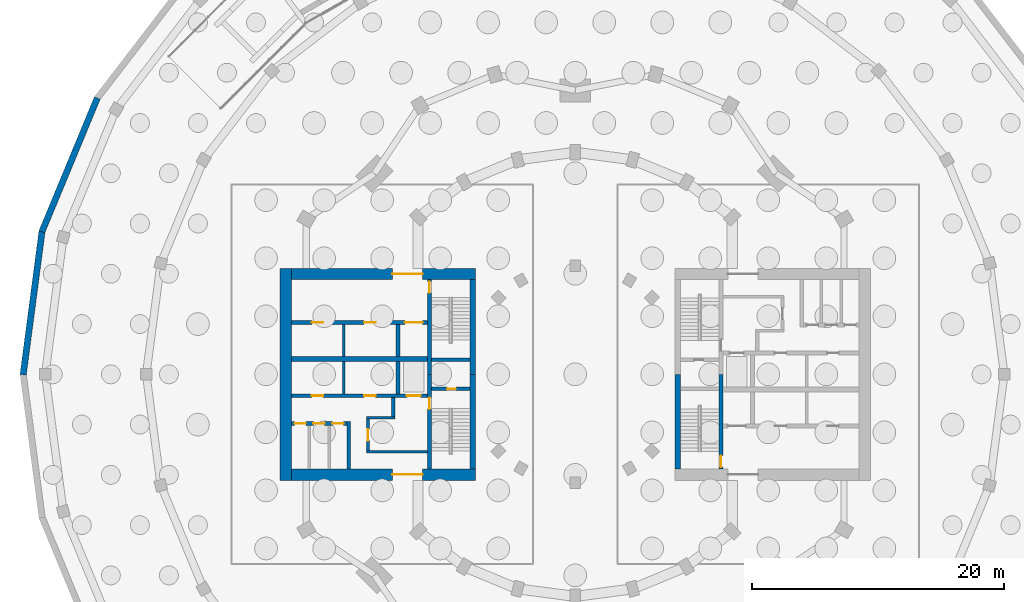
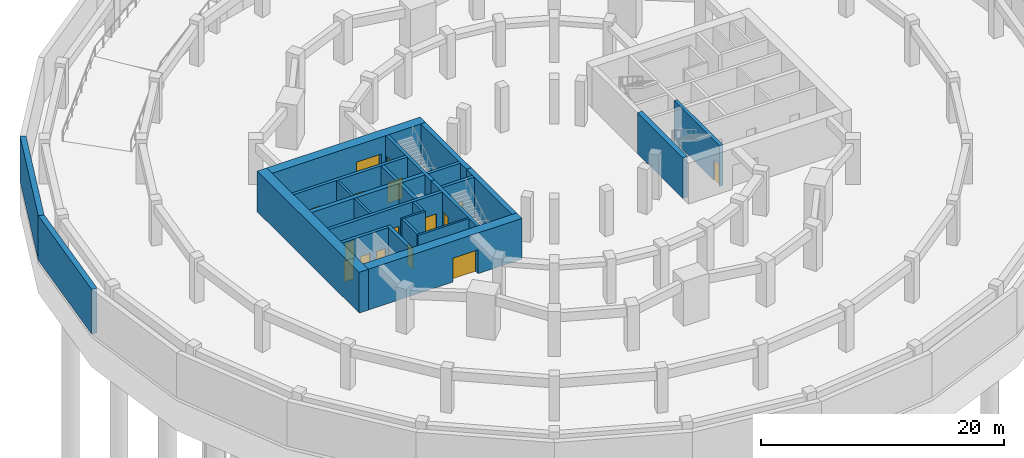
# One storey, part 4 of 9: 26 walls, 16 doors, 16 openings.
"""IFC4 building model written with IfcOpenShell, lengths in metres."""

from ifc_helpers import new_model, si_unit, direction, frame, frame_2d, origin, place, context, subcontext, project, spatial, rectangle, extrude, material, layer, layer_set, type_object, element, fill, save


model = new_model("IFC4")

# Units and contexts
model_context = context("Model", 3, precision=1e-05, world=origin(), true_north=direction((0.0, 1.0)))
body_context = subcontext(model_context, "Body", "Model", "MODEL_VIEW")
ifc_project = project(units=[si_unit("LENGTHUNIT", "METRE"), si_unit("AREAUNIT", "SQUARE_METRE"), si_unit("VOLUMEUNIT", "CUBIC_METRE"), si_unit("PLANEANGLEUNIT", "RADIAN"), si_unit("MASSUNIT", "GRAM", prefix="KILO")], contexts=[model_context])

# Site, building, storey
site_placement = place(None, origin())
site = spatial("IfcSite", under=ifc_project, at=site_placement, CompositionType="ELEMENT")
building_placement = place(site_placement, origin())
building = spatial("IfcBuilding", under=site, at=building_placement, Name="Torre Brocal", CompositionType="ELEMENT")
storey_placement = place(building_placement, frame((0.0, 0.0, -9.0)))
storey = spatial("IfcBuildingStorey", under=building, at=storey_placement, Name="B2", CompositionType="ELEMENT", Elevation=-9.0)

# Walls
ifc_material_1 = material(Name="Masonry block", Category="masonry")
ifc_layer_1 = layer(ifc_material_1, 0.199951171875)
ifc_layer_set_1 = layer_set([ifc_layer_1], Name="Masonry block")
wall_type_1 = type_object("IfcWallType", Name="CORE PARTITION 200 UNDER 400 SLAB", PredefinedType="PARTITIONING", material=ifc_layer_set_1)
for number, where, z_axis, x_axis, name in (
    (1, (61.64990234375, 76.0, 0.0), (0.0, 0.0, 1.0), (0.0, -1.0, 0.0), "Wall CP200-S400"),
    (2, (61.64990234375, 78.949951171875, 0.0), (0.0, 0.0, 1.0), (0.0, -1.0, 0.0), "Wall CP200-S400"),
):
    element("IfcWall", number, at=place(storey_placement, frame(where, z_axis=z_axis, x_axis=x_axis)), inside=storey, type_object=wall_type_1, Name=name, PredefinedType="PARTITIONING", context=body_context, shape_type="SweptSolid", body=[
        extrude(rectangle(XDim=2.550048828125, YDim=0.199951171875, at=frame_2d((1.27490234375, 0.0))), origin(), (0.0, 0.0, 1.0), 4.10009765625),
    ])
ifc_material_2 = material(Name="Concrete C80", Category="concrete")
ifc_layer_2 = layer(ifc_material_2, 0.199951171875)
ifc_layer_set_2 = layer_set([ifc_layer_2], Name="Concrete C80")
wall_type_2 = type_object("IfcWallType", Name="CORE WALL 200 C80 UNDER 400 SLAB", PredefinedType="SHEAR", material=ifc_layer_set_2)
wall_1_placement = place(storey_placement, frame((68.300048828125, 68.85009765625, 0.0), z_axis=(0.0, 0.0, 1.0), x_axis=(-1.0, 0.0, 0.0)))
element("IfcWall", 3, at=wall_1_placement, inside=storey, type_object=wall_type_2, Name="Wall CW200-80-S400", PredefinedType="SHEAR", context=body_context, shape_type="SweptSolid", body=[
    extrude(rectangle(XDim=4.85009765625, YDim=0.199951171875, at=frame_2d((2.425048828125, 0.0))), origin(), (0.0, 0.0, 1.0), 4.10009765625),
])
wall_2_placement = place(storey_placement, frame((65.699951171875, 71.550048828125, 0.0), z_axis=(0.0, 0.0, 1.0), x_axis=(-1.0, 0.0, 0.0)))
element("IfcWall", 4, at=wall_2_placement, inside=storey, type_object=wall_type_2, Name="Wall CW200-80-S400", PredefinedType="SHEAR", context=body_context, shape_type="SweptSolid", body=[
    extrude(rectangle(XDim=2.25, YDim=0.199951171875, at=frame_2d((1.125, 0.0))), origin(), (0.0, 0.0, 1.0), 4.10009765625),
])

# Wall, opening, door
ifc_material_3 = material(Name="Concrete C80", Category="concrete")
ifc_layer_3 = layer(ifc_material_3, 0.25)
ifc_layer_set_3 = layer_set([ifc_layer_3], Name="Concrete C80")
wall_type_3 = type_object("IfcWallType", Name="CORE WALL 250 C80 UNDER 400 SLAB", PredefinedType="SHEAR", material=ifc_layer_set_3)
wall_3_placement = place(storey_placement, frame((63.574951171875, 71.449951171875, 0.0), z_axis=(0.0, 0.0, 1.0), x_axis=(0.0, -1.0, 0.0)))
wall_3 = element("IfcWall", 5, at=wall_3_placement, inside=storey, type_object=wall_type_3, Name="Wall CW250-80-S400", PredefinedType="SHEAR", context=body_context, shape_type="SweptSolid", body=[
    extrude(rectangle(XDim=2.5, YDim=0.25, at=frame_2d((1.25, 0.0))), origin(), (0.0, 0.0, 1.0), 4.10009765625),
])
opening_1_placement = place(wall_3_placement, frame((0.800048828125, 0.0, 0.0)))
opening_1 = element("IfcOpeningElement", 6, at=opening_1_placement, cuts=wall_3, Name="Opening W-D08", PredefinedType="OPENING", context=body_context, shape_type="SweptSolid", body=[
    extrude(rectangle(XDim=0.89990234375, YDim=2.10009765625, at=frame_2d((0.449951171875, 1.050048828125))), frame((0.0, 0.135009765625, 0.0), z_axis=(0.0, -1.0, 0.0), x_axis=(1.0, 0.0, 0.0)), (0.0, 0.0, 1.0), 0.27001953125),
])
ifc_material_4 = material(Name="Steel A653", Category="steel")
door_type_1 = type_object("IfcDoorType", Name="LOBBY DOOR FD120 900X2100", OperationType="SINGLE_SWING_RIGHT", PredefinedType="DOOR", material=ifc_material_4)
door_1_placement = place(opening_1_placement, origin())
door_1 = element("IfcDoor", 7, at=door_1_placement, inside=storey, type_object=door_type_1, Name="Door W-D08", OperationType="SINGLE_SWING_LEFT", OverallHeight=2.10009765625, OverallWidth=0.89990234375, PredefinedType="DOOR", context=body_context, shape_type="SweptSolid", body=[
    extrude(rectangle(XDim=0.89990234375, YDim=2.10009765625, at=frame_2d((0.449951171875, 1.050048828125))), frame((0.0, 0.02490234375, 0.0), z_axis=(0.0, -1.0, 0.0), x_axis=(1.0, 0.0, 0.0)), (0.0, 0.0, 1.0), 0.050048828125),
])
fill(opening_1, door_1)

# Wall
wall_4_placement = place(storey_placement, frame((65.574951171875, 73.14990234375, 0.0), z_axis=(0.0, 0.0, 1.0), x_axis=(0.0, -1.0, 0.0)))
element("IfcWall", 8, at=wall_4_placement, inside=storey, type_object=wall_type_3, Name="Wall CW250-80-S400", PredefinedType="SHEAR", context=body_context, shape_type="SweptSolid", body=[
    extrude(rectangle(XDim=1.5, YDim=0.25, at=frame_2d((0.75, 0.0))), origin(), (0.0, 0.0, 1.0), 4.10009765625),
])

# Wall, opening, door
ifc_material_5 = material(Name="Concrete C80", Category="concrete")
ifc_layer_4 = layer(ifc_material_5, 0.300048828125)
ifc_layer_set_4 = layer_set([ifc_layer_4], Name="Concrete C80")
wall_type_4 = type_object("IfcWallType", Name="CORE WALL 300 C80 UNDER 400 SLAB", PredefinedType="SHEAR", material=ifc_layer_set_4)
wall_5_placement = place(storey_placement, frame((91.550048828125, 67.5, 0.0), z_axis=(0.0, 0.0, 1.0), x_axis=(0.0, 1.0, 0.0)))
wall_5 = element("IfcWall", 9, at=wall_5_placement, inside=storey, type_object=wall_type_4, Name="Wall CW300-80-S400", PredefinedType="SHEAR", context=body_context, shape_type="SweptSolid", body=[
    extrude(rectangle(XDim=7.5, YDim=0.300048828125, at=frame_2d((3.75, 0.0))), origin(), (0.0, 0.0, 1.0), 4.10009765625),
])
opening_2_placement = place(wall_5_placement, frame((0.14990234375, 0.0, 0.0)))
opening_2 = element("IfcOpeningElement", 10, at=opening_2_placement, cuts=wall_5, Name="Opening E-D03", PredefinedType="OPENING", context=body_context, shape_type="SweptSolid", body=[
    extrude(rectangle(XDim=0.89990234375, YDim=2.10009765625, at=frame_2d((0.449951171875, 1.050048828125))), frame((0.0, 0.159912109375, 0.0), z_axis=(0.0, -1.0, 0.0), x_axis=(1.0, 0.0, 0.0)), (0.0, 0.0, 1.0), 0.320068359375),
])
ifc_material_6 = material(Name="Steel A653", Category="steel")
door_type_2 = type_object("IfcDoorType", Name="STAIR DOOR FD120 900X2100", OperationType="SINGLE_SWING_RIGHT", PredefinedType="DOOR", material=ifc_material_6)
door_2_placement = place(opening_2_placement, origin())
door_2 = element("IfcDoor", 11, at=door_2_placement, inside=storey, type_object=door_type_2, Name="Door E-D03", OperationType="SINGLE_SWING_LEFT", OverallHeight=2.10009765625, OverallWidth=0.89990234375, PredefinedType="DOOR", context=body_context, shape_type="SweptSolid", body=[
    extrude(rectangle(XDim=0.89990234375, YDim=2.10009765625, at=frame_2d((0.449951171875, 1.050048828125))), frame((0.0, 0.02490234375, 0.0), z_axis=(0.0, -1.0, 0.0), x_axis=(1.0, 0.0, 0.0)), (0.0, 0.0, 1.0), 0.050048828125),
])
fill(opening_2, door_2)

wall_6_placement = place(storey_placement, frame((68.449951171875, 75.0, 0.0), z_axis=(0.0, 0.0, 1.0), x_axis=(0.0, -1.0, 0.0)))
wall_6 = element("IfcWall", 12, at=wall_6_placement, inside=storey, type_object=wall_type_4, Name="Wall CW300-80-S400", PredefinedType="SHEAR", context=body_context, shape_type="SweptSolid", body=[
    extrude(rectangle(XDim=7.5, YDim=0.300048828125, at=frame_2d((3.75, 0.0))), origin(), (0.0, 0.0, 1.0), 4.10009765625),
])
opening_3_placement = place(wall_6_placement, frame((1.85009765625, 0.0, 0.0)))
opening_3 = element("IfcOpeningElement", 13, at=opening_3_placement, cuts=wall_6, Name="Opening W-D02", PredefinedType="OPENING", context=body_context, shape_type="SweptSolid", body=[
    extrude(rectangle(XDim=0.89990234375, YDim=2.10009765625, at=frame_2d((0.449951171875, 1.050048828125))), frame((0.0, 0.159912109375, 0.0), z_axis=(0.0, -1.0, 0.0), x_axis=(1.0, 0.0, 0.0)), (0.0, 0.0, 1.0), 0.320068359375),
])
door_3_placement = place(opening_3_placement, origin())
door_3 = element("IfcDoor", 14, at=door_3_placement, inside=storey, type_object=door_type_2, Name="Door W-D02", OperationType="SINGLE_SWING_LEFT", OverallHeight=2.10009765625, OverallWidth=0.89990234375, PredefinedType="DOOR", context=body_context, shape_type="SweptSolid", body=[
    extrude(rectangle(XDim=0.89990234375, YDim=2.10009765625, at=frame_2d((0.449951171875, 1.050048828125))), frame((0.0, 0.02490234375, 0.0), z_axis=(0.0, -1.0, 0.0), x_axis=(1.0, 0.0, 0.0)), (0.0, 0.0, 1.0), 0.050048828125),
])
fill(opening_3, door_3)

wall_7_placement = place(storey_placement, frame((68.449951171875, 82.5, 0.0), z_axis=(0.0, 0.0, 1.0), x_axis=(0.0, -1.0, 0.0)))
wall_7 = element("IfcWall", 15, at=wall_7_placement, inside=storey, type_object=wall_type_4, Name="Wall CW300-80-S400", PredefinedType="SHEAR", context=body_context, shape_type="SweptSolid", body=[
    extrude(rectangle(XDim=7.5, YDim=0.300048828125, at=frame_2d((3.75, 0.0))), origin(), (0.0, 0.0, 1.0), 4.10009765625),
])
opening_4_placement = place(wall_7_placement, frame((0.14990234375, 0.0, 0.0)))
opening_4 = element("IfcOpeningElement", 16, at=opening_4_placement, cuts=wall_7, Name="Opening W-D03", PredefinedType="OPENING", context=body_context, shape_type="SweptSolid", body=[
    extrude(rectangle(XDim=0.89990234375, YDim=2.10009765625, at=frame_2d((0.449951171875, 1.050048828125))), frame((0.0, 0.159912109375, 0.0), z_axis=(0.0, -1.0, 0.0), x_axis=(1.0, 0.0, 0.0)), (0.0, 0.0, 1.0), 0.320068359375),
])
door_4_placement = place(opening_4_placement, origin())
door_4 = element("IfcDoor", 17, at=door_4_placement, inside=storey, type_object=door_type_2, Name="Door W-D03", OperationType="SINGLE_SWING_LEFT", OverallHeight=2.10009765625, OverallWidth=0.89990234375, PredefinedType="DOOR", context=body_context, shape_type="SweptSolid", body=[
    extrude(rectangle(XDim=0.89990234375, YDim=2.10009765625, at=frame_2d((0.449951171875, 1.050048828125))), frame((0.0, 0.02490234375, 0.0), z_axis=(0.0, -1.0, 0.0), x_axis=(1.0, 0.0, 0.0)), (0.0, 0.0, 1.0), 0.050048828125),
])
fill(opening_4, door_4)

wall_8_placement = place(storey_placement, frame((71.64990234375, 73.85009765625, 0.0), z_axis=(0.0, 0.0, 1.0), x_axis=(-1.0, 0.0, 0.0)))
wall_8 = element("IfcWall", 18, at=wall_8_placement, inside=storey, type_object=wall_type_4, Name="Wall CW300-80-S400", PredefinedType="SHEAR", context=body_context, shape_type="SweptSolid", body=[
    extrude(rectangle(XDim=3.0498046875, YDim=0.300048828125, at=frame_2d((1.52490234375, 0.0))), origin(), (0.0, 0.0, 1.0), 4.10009765625),
])
opening_5_placement = place(wall_8_placement, frame((1.10009765625, 0.0, 0.0)))
opening_5 = element("IfcOpeningElement", 19, at=opening_5_placement, cuts=wall_8, Name="Opening W-D01", PredefinedType="OPENING", context=body_context, shape_type="SweptSolid", body=[
    extrude(rectangle(XDim=0.699951171875, YDim=2.0, at=frame_2d((0.35009765625, 1.0))), frame((0.0, 0.159912109375, 0.0), z_axis=(0.0, -1.0, 0.0), x_axis=(1.0, 0.0, 0.0)), (0.0, 0.0, 1.0), 0.320068359375),
])
ifc_material_7 = material(Name="Steel A653", Category="steel")
door_type_3 = type_object("IfcDoorType", Name="RISER DOOR FD120 700X2000", OperationType="SINGLE_SWING_LEFT", PredefinedType="DOOR", material=ifc_material_7)
door_5_placement = place(opening_5_placement, frame((0.699951171875, 0.0, 0.0), z_axis=(0.0, 0.0, 1.0), x_axis=(-1.0, 0.0, 0.0)))
door_5 = element("IfcDoor", 20, at=door_5_placement, inside=storey, type_object=door_type_3, Name="Door W-D01", OperationType="SINGLE_SWING_RIGHT", OverallHeight=2.0, OverallWidth=0.699951171875, PredefinedType="DOOR", context=body_context, shape_type="SweptSolid", body=[
    extrude(rectangle(XDim=0.699951171875, YDim=2.0, at=frame_2d((0.35009765625, 1.0))), frame((0.0, 0.02490234375, 0.0), z_axis=(0.0, -1.0, 0.0), x_axis=(1.0, 0.0, 0.0)), (0.0, 0.0, 1.0), 0.050048828125),
])
fill(opening_5, door_5)

# Wall
wall_9_placement = place(storey_placement, frame((71.64990234375, 76.14990234375, 0.0), z_axis=(0.0, 0.0, 1.0), x_axis=(-1.0, 0.0, 0.0)))
element("IfcWall", 21, at=wall_9_placement, inside=storey, type_object=wall_type_4, Name="Wall CW300-80-S400", PredefinedType="SHEAR", context=body_context, shape_type="SweptSolid", body=[
    extrude(rectangle(XDim=3.0498046875, YDim=0.300048828125, at=frame_2d((1.52490234375, 0.0))), origin(), (0.0, 0.0, 1.0), 4.10009765625),
])

# Wall, openings, doors
wall_10_placement = place(storey_placement, frame((68.300048828125, 73.300048828125, 0.0), z_axis=(0.0, 0.0, 1.0), x_axis=(-1.0, 0.0, 0.0)))
wall_10 = element("IfcWall", 22, at=wall_10_placement, inside=storey, type_object=wall_type_4, Name="Wall CW300-80-S400", PredefinedType="SHEAR", context=body_context, shape_type="SweptSolid", body=[
    extrude(rectangle(XDim=10.800048828125, YDim=0.300048828125, at=frame_2d((5.39990234375, 0.0))), origin(), (0.0, 0.0, 1.0), 4.10009765625),
])
opening_6_placement = place(wall_10_placement, frame((0.550048828125, 0.0, 0.0)))
opening_6 = element("IfcOpeningElement", 23, at=opening_6_placement, cuts=wall_10, Name="Opening LD", PredefinedType="OPENING", context=body_context, shape_type="SweptSolid", body=[
    extrude(rectangle(XDim=1.10009765625, YDim=2.10009765625, at=frame_2d((0.550048828125, 1.050048828125))), frame((0.0, 0.159912109375, 0.0), z_axis=(0.0, -1.0, 0.0), x_axis=(1.0, 0.0, 0.0)), (0.0, 0.0, 1.0), 0.320068359375),
])
opening_7_placement = place(wall_10_placement, frame((4.125, 0.0, 0.0)))
opening_7 = element("IfcOpeningElement", 24, at=opening_7_placement, cuts=wall_10, Name="Opening W-D04", PredefinedType="OPENING", context=body_context, shape_type="SweptSolid", body=[
    extrude(rectangle(XDim=0.89990234375, YDim=2.10009765625, at=frame_2d((0.449951171875, 1.050048828125))), frame((0.0, 0.159912109375, 0.0), z_axis=(0.0, -1.0, 0.0), x_axis=(1.0, 0.0, 0.0)), (0.0, 0.0, 1.0), 0.320068359375),
])
opening_8_placement = place(wall_10_placement, frame((8.27490234375, 0.0, 0.0)))
opening_8 = element("IfcOpeningElement", 25, at=opening_8_placement, cuts=wall_10, Name="Opening W-D05", PredefinedType="OPENING", context=body_context, shape_type="SweptSolid", body=[
    extrude(rectangle(XDim=0.89990234375, YDim=2.10009765625, at=frame_2d((0.449951171875, 1.050048828125))), frame((0.0, 0.159912109375, 0.0), z_axis=(0.0, -1.0, 0.0), x_axis=(1.0, 0.0, 0.0)), (0.0, 0.0, 1.0), 0.320068359375),
])
ifc_material_8 = material(Name="Stainless steel AISI 316", Category="steel")
door_type_4 = type_object("IfcDoorType", Name="LIFT LANDING DOOR 1100X2100", OperationType="DOUBLE_DOOR_SLIDING", PredefinedType="DOOR", material=ifc_material_8)
door_6_placement = place(opening_6_placement, origin())
door_6 = element("IfcDoor", 26, at=door_6_placement, inside=storey, type_object=door_type_4, Name="Door LD", OperationType="DOUBLE_DOOR_SLIDING", OverallHeight=2.10009765625, OverallWidth=1.10009765625, PredefinedType="DOOR", context=body_context, shape_type="SweptSolid", body=[
    extrude(rectangle(XDim=1.10009765625, YDim=2.10009765625, at=frame_2d((0.550048828125, 1.050048828125))), frame((0.0, 0.02490234375, 0.0), z_axis=(0.0, -1.0, 0.0), x_axis=(1.0, 0.0, 0.0)), (0.0, 0.0, 1.0), 0.050048828125),
])
fill(opening_6, door_6)
ifc_material_9 = material(Name="Steel A653", Category="steel")
door_type_5 = type_object("IfcDoorType", Name="ROOM DOOR FD30S 900X2100", OperationType="SINGLE_SWING_LEFT", PredefinedType="DOOR", material=ifc_material_9)
door_7_placement = place(opening_7_placement, frame((0.89990234375, 0.0, 0.0), z_axis=(0.0, 0.0, 1.0), x_axis=(-1.0, 0.0, 0.0)))
door_7 = element("IfcDoor", 27, at=door_7_placement, inside=storey, type_object=door_type_5, Name="Door W-D04", OperationType="SINGLE_SWING_LEFT", OverallHeight=2.10009765625, OverallWidth=0.89990234375, PredefinedType="DOOR", context=body_context, shape_type="SweptSolid", body=[
    extrude(rectangle(XDim=0.89990234375, YDim=2.10009765625, at=frame_2d((0.449951171875, 1.050048828125))), frame((0.0, 0.02490234375, 0.0), z_axis=(0.0, -1.0, 0.0), x_axis=(1.0, 0.0, 0.0)), (0.0, 0.0, 1.0), 0.050048828125),
])
fill(opening_7, door_7)
door_8_placement = place(opening_8_placement, frame((0.89990234375, 0.0, 0.0), z_axis=(0.0, 0.0, 1.0), x_axis=(-1.0, 0.0, 0.0)))
door_8 = element("IfcDoor", 28, at=door_8_placement, inside=storey, type_object=door_type_5, Name="Door W-D05", OperationType="SINGLE_SWING_LEFT", OverallHeight=2.10009765625, OverallWidth=0.89990234375, PredefinedType="DOOR", context=body_context, shape_type="SweptSolid", body=[
    extrude(rectangle(XDim=0.89990234375, YDim=2.10009765625, at=frame_2d((0.449951171875, 1.050048828125))), frame((0.0, 0.02490234375, 0.0), z_axis=(0.0, -1.0, 0.0), x_axis=(1.0, 0.0, 0.0)), (0.0, 0.0, 1.0), 0.050048828125),
])
fill(opening_8, door_8)

wall_11_placement = place(storey_placement, frame((68.300048828125, 79.10009765625, 0.0), z_axis=(0.0, 0.0, 1.0), x_axis=(-1.0, 0.0, 0.0)))
wall_11 = element("IfcWall", 29, at=wall_11_placement, inside=storey, type_object=wall_type_4, Name="Wall CW300-80-S400", PredefinedType="SHEAR", context=body_context, shape_type="SweptSolid", body=[
    extrude(rectangle(XDim=10.800048828125, YDim=0.300048828125, at=frame_2d((5.39990234375, 0.0))), origin(), (0.0, 0.0, 1.0), 4.10009765625),
])
opening_9_placement = place(wall_11_placement, frame((0.39990234375, 0.0, 0.0)))
opening_9 = element("IfcOpeningElement", 30, at=opening_9_placement, cuts=wall_11, Name="Opening LD14", PredefinedType="OPENING", context=body_context, shape_type="SweptSolid", body=[
    extrude(rectangle(XDim=1.39990234375, YDim=2.10009765625, at=frame_2d((0.699951171875, 1.050048828125))), frame((0.0, 0.159912109375, 0.0), z_axis=(0.0, -1.0, 0.0), x_axis=(1.0, 0.0, 0.0)), (0.0, 0.0, 1.0), 0.320068359375),
])
opening_10_placement = place(wall_11_placement, frame((4.125, 0.0, 0.0)))
opening_10 = element("IfcOpeningElement", 31, at=opening_10_placement, cuts=wall_11, Name="Opening W-D06", PredefinedType="OPENING", context=body_context, shape_type="SweptSolid", body=[
    extrude(rectangle(XDim=0.89990234375, YDim=2.10009765625, at=frame_2d((0.449951171875, 1.050048828125))), frame((0.0, 0.159912109375, 0.0), z_axis=(0.0, -1.0, 0.0), x_axis=(1.0, 0.0, 0.0)), (0.0, 0.0, 1.0), 0.320068359375),
])
opening_11_placement = place(wall_11_placement, frame((8.27490234375, 0.0, 0.0)))
opening_11 = element("IfcOpeningElement", 32, at=opening_11_placement, cuts=wall_11, Name="Opening W-D07", PredefinedType="OPENING", context=body_context, shape_type="SweptSolid", body=[
    extrude(rectangle(XDim=0.89990234375, YDim=2.10009765625, at=frame_2d((0.449951171875, 1.050048828125))), frame((0.0, 0.159912109375, 0.0), z_axis=(0.0, -1.0, 0.0), x_axis=(1.0, 0.0, 0.0)), (0.0, 0.0, 1.0), 0.320068359375),
])
ifc_material_10 = material(Name="Stainless steel AISI 316", Category="steel")
door_type_6 = type_object("IfcDoorType", Name="LIFT LANDING DOOR 1400X2100", OperationType="DOUBLE_DOOR_SLIDING", PredefinedType="DOOR", material=ifc_material_10)
door_9_placement = place(opening_9_placement, origin())
door_9 = element("IfcDoor", 33, at=door_9_placement, inside=storey, type_object=door_type_6, Name="Door LD14", OperationType="DOUBLE_DOOR_SLIDING", OverallHeight=2.10009765625, OverallWidth=1.39990234375, PredefinedType="DOOR", context=body_context, shape_type="SweptSolid", body=[
    extrude(rectangle(XDim=1.39990234375, YDim=2.10009765625, at=frame_2d((0.699951171875, 1.050048828125))), frame((0.0, 0.02490234375, 0.0), z_axis=(0.0, -1.0, 0.0), x_axis=(1.0, 0.0, 0.0)), (0.0, 0.0, 1.0), 0.050048828125),
])
fill(opening_9, door_9)
door_10_placement = place(opening_10_placement, origin())
door_10 = element("IfcDoor", 34, at=door_10_placement, inside=storey, type_object=door_type_5, Name="Door W-D06", OperationType="SINGLE_SWING_RIGHT", OverallHeight=2.10009765625, OverallWidth=0.89990234375, PredefinedType="DOOR", context=body_context, shape_type="SweptSolid", body=[
    extrude(rectangle(XDim=0.89990234375, YDim=2.10009765625, at=frame_2d((0.449951171875, 1.050048828125))), frame((0.0, 0.02490234375, 0.0), z_axis=(0.0, -1.0, 0.0), x_axis=(1.0, 0.0, 0.0)), (0.0, 0.0, 1.0), 0.050048828125),
])
fill(opening_10, door_10)
door_11_placement = place(opening_11_placement, origin())
door_11 = element("IfcDoor", 35, at=door_11_placement, inside=storey, type_object=door_type_5, Name="Door W-D07", OperationType="SINGLE_SWING_RIGHT", OverallHeight=2.10009765625, OverallWidth=0.89990234375, PredefinedType="DOOR", context=body_context, shape_type="SweptSolid", body=[
    extrude(rectangle(XDim=0.89990234375, YDim=2.10009765625, at=frame_2d((0.449951171875, 1.050048828125))), frame((0.0, 0.02490234375, 0.0), z_axis=(0.0, -1.0, 0.0), x_axis=(1.0, 0.0, 0.0)), (0.0, 0.0, 1.0), 0.050048828125),
])
fill(opening_11, door_11)

# Walls
for number, where, z_axis, x_axis, name in (
    (36, (65.949951171875, 76.0, 0.0), (0.0, 0.0, 1.0), (0.0, -1.0, 0.0), "Wall CW300-80-S400"),
    (37, (65.949951171875, 78.949951171875, 0.0), (0.0, 0.0, 1.0), (0.0, -1.0, 0.0), "Wall CW300-80-S400"),
):
    element("IfcWall", number, at=place(storey_placement, frame(where, z_axis=z_axis, x_axis=x_axis)), inside=storey, type_object=wall_type_4, Name=name, PredefinedType="SHEAR", context=body_context, shape_type="SweptSolid", body=[
        extrude(rectangle(XDim=2.550048828125, YDim=0.300048828125, at=frame_2d((1.27490234375, 0.0))), origin(), (0.0, 0.0, 1.0), 4.10009765625),
    ])
wall_12_placement = place(storey_placement, frame((62.050048828125, 71.25, 0.0), z_axis=(0.0, 0.0, 1.0), x_axis=(0.0, -1.0, 0.0)))
element("IfcWall", 38, at=wall_12_placement, inside=storey, type_object=wall_type_4, Name="Wall CW300-80-S400", PredefinedType="SHEAR", context=body_context, shape_type="SweptSolid", body=[
    extrude(rectangle(XDim=3.75, YDim=0.300048828125, at=frame_2d((1.875, 0.0))), origin(), (0.0, 0.0, 1.0), 4.10009765625),
])

# Wall, openings, doors
wall_13_placement = place(storey_placement, frame((61.89990234375, 71.10009765625, 0.0), z_axis=(0.0, 0.0, 1.0), x_axis=(-1.0, 0.0, 0.0)))
wall_13 = element("IfcWall", 39, at=wall_13_placement, inside=storey, type_object=wall_type_4, Name="Wall CW300-80-S400", PredefinedType="SHEAR", context=body_context, shape_type="SweptSolid", body=[
    extrude(rectangle(XDim=4.39990234375, YDim=0.300048828125, at=frame_2d((2.199951171875, 0.0))), origin(), (0.0, 0.0, 1.0), 4.10009765625),
])
opening_12_placement = place(wall_13_placement, frame((0.25390625, 0.0, 0.0)))
opening_12 = element("IfcOpeningElement", 40, at=opening_12_placement, cuts=wall_13, Name="Opening W-D09", PredefinedType="OPENING", context=body_context, shape_type="SweptSolid", body=[
    extrude(rectangle(XDim=0.89990234375, YDim=2.10009765625, at=frame_2d((0.449951171875, 1.050048828125))), frame((0.0, 0.159912109375, 0.0), z_axis=(0.0, -1.0, 0.0), x_axis=(1.0, 0.0, 0.0)), (0.0, 0.0, 1.0), 0.320068359375),
])
opening_13_placement = place(wall_13_placement, frame((1.75, 0.0, 0.0)))
opening_13 = element("IfcOpeningElement", 41, at=opening_13_placement, cuts=wall_13, Name="Opening W-D10", PredefinedType="OPENING", context=body_context, shape_type="SweptSolid", body=[
    extrude(rectangle(XDim=0.89990234375, YDim=2.10009765625, at=frame_2d((0.449951171875, 1.050048828125))), frame((0.0, 0.159912109375, 0.0), z_axis=(0.0, -1.0, 0.0), x_axis=(1.0, 0.0, 0.0)), (0.0, 0.0, 1.0), 0.320068359375),
])
opening_14_placement = place(wall_13_placement, frame((3.24609375, 0.0, 0.0)))
opening_14 = element("IfcOpeningElement", 42, at=opening_14_placement, cuts=wall_13, Name="Opening W-D11", PredefinedType="OPENING", context=body_context, shape_type="SweptSolid", body=[
    extrude(rectangle(XDim=0.89990234375, YDim=2.10009765625, at=frame_2d((0.449951171875, 1.050048828125))), frame((0.0, 0.159912109375, 0.0), z_axis=(0.0, -1.0, 0.0), x_axis=(1.0, 0.0, 0.0)), (0.0, 0.0, 1.0), 0.320068359375),
])
door_12_placement = place(opening_12_placement, origin())
door_12 = element("IfcDoor", 43, at=door_12_placement, inside=storey, type_object=door_type_5, Name="Door W-D09", OperationType="SINGLE_SWING_RIGHT", OverallHeight=2.10009765625, OverallWidth=0.89990234375, PredefinedType="DOOR", context=body_context, shape_type="SweptSolid", body=[
    extrude(rectangle(XDim=0.89990234375, YDim=2.10009765625, at=frame_2d((0.449951171875, 1.050048828125))), frame((0.0, 0.02490234375, 0.0), z_axis=(0.0, -1.0, 0.0), x_axis=(1.0, 0.0, 0.0)), (0.0, 0.0, 1.0), 0.050048828125),
])
fill(opening_12, door_12)
door_13_placement = place(opening_13_placement, origin())
door_13 = element("IfcDoor", 44, at=door_13_placement, inside=storey, type_object=door_type_5, Name="Door W-D10", OperationType="SINGLE_SWING_RIGHT", OverallHeight=2.10009765625, OverallWidth=0.89990234375, PredefinedType="DOOR", context=body_context, shape_type="SweptSolid", body=[
    extrude(rectangle(XDim=0.89990234375, YDim=2.10009765625, at=frame_2d((0.449951171875, 1.050048828125))), frame((0.0, 0.02490234375, 0.0), z_axis=(0.0, -1.0, 0.0), x_axis=(1.0, 0.0, 0.0)), (0.0, 0.0, 1.0), 0.050048828125),
])
fill(opening_13, door_13)
door_14_placement = place(opening_14_placement, origin())
door_14 = element("IfcDoor", 45, at=door_14_placement, inside=storey, type_object=door_type_5, Name="Door W-D11", OperationType="SINGLE_SWING_LEFT", OverallHeight=2.10009765625, OverallWidth=0.89990234375, PredefinedType="DOOR", context=body_context, shape_type="SweptSolid", body=[
    extrude(rectangle(XDim=0.89990234375, YDim=2.10009765625, at=frame_2d((0.449951171875, 1.050048828125))), frame((0.0, 0.02490234375, 0.0), z_axis=(0.0, -1.0, 0.0), x_axis=(1.0, 0.0, 0.0)), (0.0, 0.0, 1.0), 0.050048828125),
])
fill(opening_14, door_14)

# Walls
ifc_material_11 = material(Name="Concrete C80", Category="concrete")
ifc_layer_5 = layer(ifc_material_11, 0.39990234375)
ifc_layer_set_5 = layer_set([ifc_layer_5], Name="Concrete C80")
wall_type_5 = type_object("IfcWallType", Name="CORE WALL 400 C80 UNDER 400 SLAB", PredefinedType="SHEAR", material=ifc_layer_set_5)
wall_14_placement = place(storey_placement, frame((68.300048828125, 76.199951171875, 0.0), z_axis=(0.0, 0.0, 1.0), x_axis=(-1.0, 0.0, 0.0)))
element("IfcWall", 46, at=wall_14_placement, inside=storey, type_object=wall_type_5, Name="Wall CW400-80-S400", PredefinedType="SHEAR", context=body_context, shape_type="SweptSolid", body=[
    extrude(rectangle(XDim=10.800048828125, YDim=0.39990234375, at=frame_2d((5.39990234375, 0.0))), origin(), (0.0, 0.0, 1.0), 4.10009765625),
])
ifc_material_12 = material(Name="Concrete C80", Category="concrete")
ifc_layer_6 = layer(ifc_material_12, 0.449951171875)
ifc_layer_set_6 = layer_set([ifc_layer_6], Name="Concrete C80")
wall_type_6 = type_object("IfcWallType", Name="CORE WALL 450 C80 UNDER 400 SLAB", PredefinedType="SHEAR", material=ifc_layer_set_6)
for number, where, z_axis, x_axis, name in (
    (47, (88.125, 67.5, 0.0), (0.0, 0.0, 1.0), (0.0, 1.0, 0.0), "Wall CW450-80-S400"),
    (48, (71.875, 75.0, 0.0), (0.0, 0.0, 1.0), (0.0, -1.0, 0.0), "Wall CW450-80-S400"),
    (49, (71.875, 82.5, 0.0), (0.0, 0.0, 1.0), (0.0, -1.0, 0.0), "Wall CW450-80-S400"),
):
    element("IfcWall", number, at=place(storey_placement, frame(where, z_axis=z_axis, x_axis=x_axis)), inside=storey, type_object=wall_type_6, Name=name, PredefinedType="SHEAR", context=body_context, shape_type="SweptSolid", body=[
        extrude(rectangle(XDim=7.5, YDim=0.449951171875, at=frame_2d((3.75, 0.0))), origin(), (0.0, 0.0, 1.0), 4.10009765625),
    ])

# Wall, opening, door
ifc_material_13 = material(Name="Concrete C80", Category="concrete")
ifc_layer_7 = layer(ifc_material_13, 0.89990234375)
ifc_layer_set_7 = layer_set([ifc_layer_7], Name="Concrete C80")
wall_type_7 = type_object("IfcWallType", Name="CORE WALL 900 C80 UNDER 400 SLAB", PredefinedType="SHEAR", material=ifc_layer_set_7)
wall_15_placement = place(storey_placement, frame((72.10009765625, 67.050048828125, 0.0), z_axis=(0.0, 0.0, 1.0), x_axis=(-1.0, 0.0, 0.0)))
wall_15 = element("IfcWall", 50, at=wall_15_placement, inside=storey, type_object=wall_type_7, Name="Wall CW900-80-S400", PredefinedType="SHEAR", context=body_context, shape_type="SweptSolid", body=[
    extrude(rectangle(XDim=14.60009765625, YDim=0.89990234375, at=frame_2d((7.300048828125, 0.0))), origin(), (0.0, 0.0, 1.0), 4.10009765625),
])
opening_15_placement = place(wall_15_placement, frame((4.199951171875, 0.0, 0.0)))
opening_15 = element("IfcOpeningElement", 51, at=opening_15_placement, cuts=wall_15, Name="Opening W-D12", PredefinedType="OPENING", context=body_context, shape_type="SweptSolid", body=[
    extrude(rectangle(XDim=2.39990234375, YDim=2.39990234375, at=frame_2d((1.199951171875, 1.199951171875))), frame((0.0, 0.4599609375, 0.0), z_axis=(0.0, -1.0, 0.0), x_axis=(1.0, 0.0, 0.0)), (0.0, 0.0, 1.0), 0.919921875),
])
ifc_material_14 = material(Name="Steel A653", Category="steel")
door_type_7 = type_object("IfcDoorType", Name="DOUBLE FIRE DOOR FD90 2400X2400", OperationType="DOUBLE_DOOR_SINGLE_SWING", PredefinedType="DOOR", material=ifc_material_14)
door_15_placement = place(opening_15_placement, frame((2.39990234375, 0.0, 0.0), z_axis=(0.0, 0.0, 1.0), x_axis=(-1.0, 0.0, 0.0)))
door_15 = element("IfcDoor", 52, at=door_15_placement, inside=storey, type_object=door_type_7, Name="Door W-D12", OperationType="DOUBLE_DOOR_SINGLE_SWING", OverallHeight=2.39990234375, OverallWidth=2.39990234375, PredefinedType="DOOR", context=body_context, shape_type="SweptSolid", body=[
    extrude(rectangle(XDim=2.39990234375, YDim=2.39990234375, at=frame_2d((1.199951171875, 1.199951171875))), frame((0.0, 0.02490234375, 0.0), z_axis=(0.0, -1.0, 0.0), x_axis=(1.0, 0.0, 0.0)), (0.0, 0.0, 1.0), 0.050048828125),
])
fill(opening_15, door_15)

wall_16_placement = place(storey_placement, frame((72.10009765625, 82.949951171875, 0.0), z_axis=(0.0, 0.0, 1.0), x_axis=(-1.0, 0.0, 0.0)))
wall_16 = element("IfcWall", 53, at=wall_16_placement, inside=storey, type_object=wall_type_7, Name="Wall CW900-80-S400", PredefinedType="SHEAR", context=body_context, shape_type="SweptSolid", body=[
    extrude(rectangle(XDim=14.60009765625, YDim=0.89990234375, at=frame_2d((7.300048828125, 0.0))), origin(), (0.0, 0.0, 1.0), 4.10009765625),
])
opening_16_placement = place(wall_16_placement, frame((4.199951171875, 0.0, 0.0)))
opening_16 = element("IfcOpeningElement", 54, at=opening_16_placement, cuts=wall_16, Name="Opening W-D13", PredefinedType="OPENING", context=body_context, shape_type="SweptSolid", body=[
    extrude(rectangle(XDim=2.39990234375, YDim=2.39990234375, at=frame_2d((1.199951171875, 1.199951171875))), frame((0.0, 0.4599609375, 0.0), z_axis=(0.0, -1.0, 0.0), x_axis=(1.0, 0.0, 0.0)), (0.0, 0.0, 1.0), 0.919921875),
])
door_16_placement = place(opening_16_placement, origin())
door_16 = element("IfcDoor", 55, at=door_16_placement, inside=storey, type_object=door_type_7, Name="Door W-D13", OperationType="DOUBLE_DOOR_SINGLE_SWING", OverallHeight=2.39990234375, OverallWidth=2.39990234375, PredefinedType="DOOR", context=body_context, shape_type="SweptSolid", body=[
    extrude(rectangle(XDim=2.39990234375, YDim=2.39990234375, at=frame_2d((1.199951171875, 1.199951171875))), frame((0.0, 0.02490234375, 0.0), z_axis=(0.0, -1.0, 0.0), x_axis=(1.0, 0.0, 0.0)), (0.0, 0.0, 1.0), 0.050048828125),
])
fill(opening_16, door_16)

# Walls
wall_17_placement = place(storey_placement, frame((57.050048828125, 83.39990234375, 0.0), z_axis=(0.0, 0.0, 1.0), x_axis=(0.0, -1.0, 0.0)))
element("IfcWall", 56, at=wall_17_placement, inside=storey, type_object=wall_type_7, Name="Wall CW900-80-S400", PredefinedType="SHEAR", context=body_context, shape_type="SweptSolid", body=[
    extrude(rectangle(XDim=16.7998046875, YDim=0.89990234375, at=frame_2d((8.39990234375, 0.0))), origin(), (0.0, 0.0, 1.0), 4.10009765625),
])
ifc_material_15 = material(Name="Concrete C45", Category="concrete")
ifc_layer_8 = layer(ifc_material_15, 0.5)
ifc_layer_set_8 = layer_set([ifc_layer_8], Name="Concrete C45")
wall_type_8 = type_object("IfcWallType", Name="RC RETAINING WALL 500 C45", PredefinedType="STANDARD", material=ifc_layer_set_8)
wall_18_placement = place(storey_placement, frame((42.125732421875, 96.904296875, 0.0), z_axis=(0.0, 0.0, 1.0), x_axis=(-0.382679682269, -0.923881085843, 0.0)))
element("IfcWall", 57, at=wall_18_placement, inside=storey, type_object=wall_type_8, Name="Wall RW-1", PredefinedType="STANDARD", context=body_context, shape_type="SweptSolid", body=[
    extrude(rectangle(XDim=11.486083984375, YDim=0.5, at=frame_2d((5.7431640625, 0.0))), origin(), (0.0, 0.0, 1.0), 4.5),
])
wall_19_placement = place(storey_placement, frame((37.7470703125, 86.35546875, 0.0), z_axis=(0.0, 0.0, 1.0), x_axis=(-0.130524888474, -0.991445033014, 0.0)))
element("IfcWall", 58, at=wall_19_placement, inside=storey, type_object=wall_type_8, Name="Wall RW-1", PredefinedType="STANDARD", context=body_context, shape_type="SweptSolid", body=[
    extrude(rectangle(XDim=11.486328125, YDim=0.5, at=frame_2d((5.7431640625, 0.0))), origin(), (0.0, 0.0, 1.0), 4.5),
])

save(model, "model.ifc")
